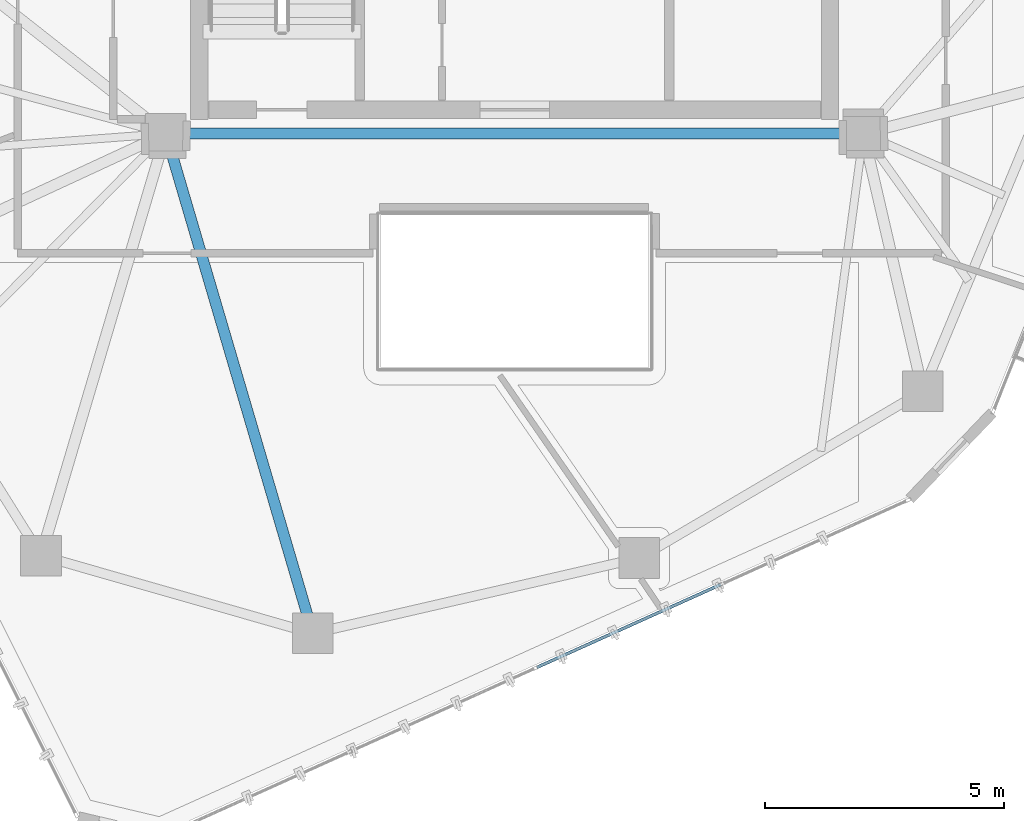
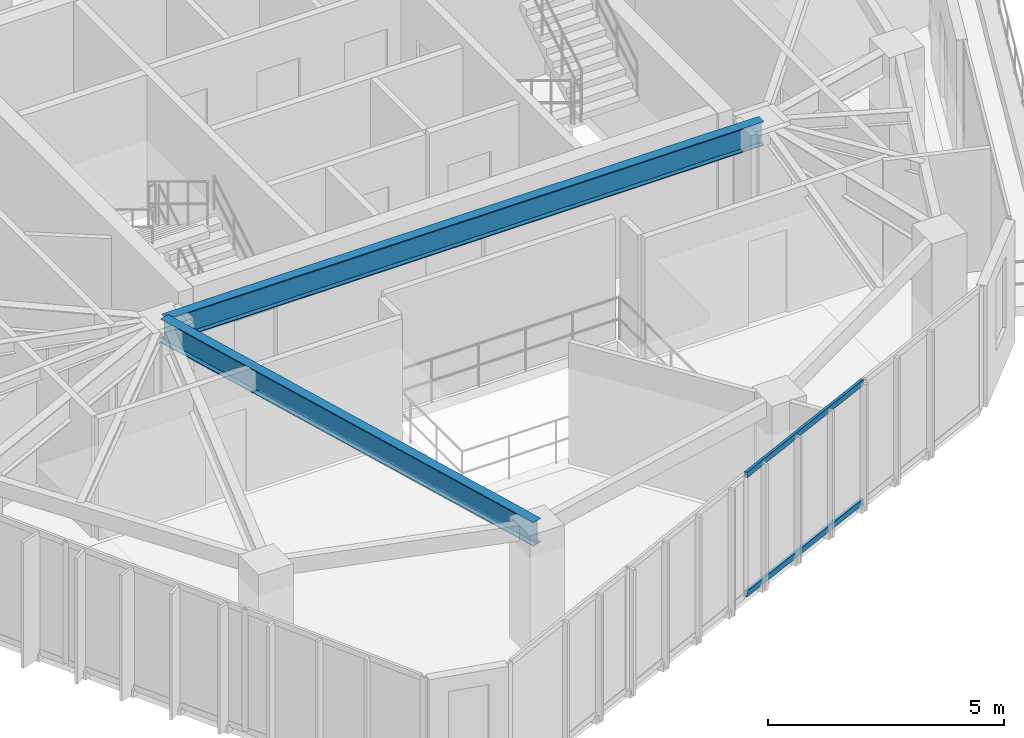
# One storey, part 5 of 21: 2 beams, 2 members, 1 element without a shape of its own.
"""IFC4 building model written with IfcOpenShell, lengths in metres."""

import ifcopenshell
import ifcopenshell.guid

model = None  # the IFC model being written
_history = None  # IfcOwnerHistory: only IFC2X3 demands one
_inside = {}  # id of a spatial element -> (the spatial element, [elements in it])
_under = {}  # id of a project, library or spatial element -> (it, [spatial elements below it])
_declared = {}  # id of a project -> (the project, [libraries it declares])
_typed = {}  # id of a type object -> (the type object, [elements of that type])
_made_of = {}  # id of a material, layer set ... -> (it, [elements and type objects made of it])


def new_model(schema):
    """Start an empty IFC model of exactly this schema.

    Asked for "IFC4X3", IfcOpenShell would pick the latest addendum, in which some entities
    have other attributes; the version numbers below select the first issue.
    IFC2X3 requires an IfcOwnerHistory on every rooted entity: one is made here for all.
    """
    global model, _history
    if schema == "IFC4X3":
        model = ifcopenshell.file(schema_version=(4, 3, 0, 0))
    else:
        model = ifcopenshell.file(schema=schema)
    _inside.clear()
    _under.clear()
    _declared.clear()
    _typed.clear()
    _made_of.clear()
    _history = None
    if model.schema == "IFC2X3":
        org = make("IfcOrganization", Name="unknown")
        user = make(
            "IfcPersonAndOrganization",
            ThePerson=make("IfcPerson", FamilyName="unknown"),
            TheOrganization=org,
        )
        app = make(
            "IfcApplication",
            ApplicationDeveloper=org,
            Version="unknown",
            ApplicationFullName="unknown",
            ApplicationIdentifier="unknown",
        )
        _history = make(
            "IfcOwnerHistory",
            OwningUser=user,
            OwningApplication=app,
            ChangeAction="ADDED",
            CreationDate=0,
        )
    return model


def make(cls, **values):
    """One entity of the class cls with the attributes given. An attribute that is None is left unset."""
    return model.create_entity(
        cls, **{name: value for name, value in values.items() if value is not None}
    )


def rooted(cls, **values):
    """An entity with a GlobalId (a new one), such as an element, a storey or a relation."""
    return make(cls, GlobalId=ifcopenshell.guid.new(), OwnerHistory=_history, **values)


def si_unit(unit_type, name, prefix=None):
    """IfcSIUnit, for example si_unit("LENGTHUNIT", "METRE", prefix="MILLI")."""
    return make("IfcSIUnit", UnitType=unit_type, Prefix=prefix, Name=name)


def assignment(units):
    """IfcUnitAssignment: the units of a project."""
    return None if units is None else make("IfcUnitAssignment", Units=units)


def point(xyz):
    """IfcCartesianPoint."""
    return None if xyz is None else make("IfcCartesianPoint", Coordinates=xyz)


def direction(xyz):
    """IfcDirection."""
    return None if xyz is None else make("IfcDirection", DirectionRatios=xyz)


def frame(location, z_axis=None, x_axis=None):
    """IfcAxis2Placement3D, a coordinate frame: its origin and axes. An axis left out is left unset."""
    return make(
        "IfcAxis2Placement3D",
        Location=point(location),
        Axis=direction(z_axis),
        RefDirection=direction(x_axis),
    )


def frame_2d(location, x_axis=None):
    """IfcAxis2Placement2D, a coordinate frame in the plane: its origin and x axis."""
    return make(
        "IfcAxis2Placement2D", Location=point(location), RefDirection=direction(x_axis)
    )


def origin():
    """The frame at (0, 0, 0) with its axes left unset."""
    return frame((0.0, 0.0, 0.0))


def origin_2d():
    """The frame at (0, 0) in the plane with its x axis left unset."""
    return frame_2d((0.0, 0.0))


def place(relative_to, where):
    """IfcLocalPlacement: puts the frame where relative to a parent placement (None: the world)."""
    return make(
        "IfcLocalPlacement", PlacementRelTo=relative_to, RelativePlacement=where
    )


def context(
    kind, dimensions, precision=None, world=None, true_north=None, identifier=None
):
    """IfcGeometricRepresentationContext, for example the 3D "Model" context."""
    return make(
        "IfcGeometricRepresentationContext",
        ContextIdentifier=identifier,
        ContextType=kind,
        CoordinateSpaceDimension=dimensions,
        Precision=precision,
        WorldCoordinateSystem=world,
        TrueNorth=true_north,
    )


def subcontext(parent, identifier, kind, view, scale=None):
    """IfcGeometricRepresentationSubContext, for example "Body" below "Model"."""
    return make(
        "IfcGeometricRepresentationSubContext",
        ContextIdentifier=identifier,
        ContextType=kind,
        ParentContext=parent,
        TargetScale=scale,
        TargetView=view,
    )


def project(units=None, contexts=None):
    """IfcProject with its units and contexts."""
    return rooted(
        "IfcProject",
        Name="project",
        RepresentationContexts=contexts,
        UnitsInContext=assignment(units),
    )


def spatial(cls, under=None, at=None, **own):
    """A site, building, storey or space (cls), placed at a placement, below another one or the project."""
    s = rooted(cls, ObjectPlacement=at, **own)
    if under is not None:
        _under.setdefault(under.id(), (under, []))[1].append(s)
    return s


def profile(cls, at=None, kind="AREA", **sizes):
    """A parametric profile (cls). Its sizes go by their IFC names, for example OverallWidth=200.0."""
    return make(cls, ProfileType=kind, Position=at, **sizes)


def hollow_rectangle(**sizes):
    """IfcRectangleHollowProfileDef."""
    return profile("IfcRectangleHollowProfileDef", **sizes)


def i_section(**sizes):
    """IfcIShapeProfileDef."""
    return profile("IfcIShapeProfileDef", **sizes)


def extrude(swept, where, along, depth):
    """IfcExtrudedAreaSolid: the profile swept, set in the frame where, extruded along a direction by depth."""
    return make(
        "IfcExtrudedAreaSolid",
        SweptArea=swept,
        Position=where,
        ExtrudedDirection=direction(along),
        Depth=depth,
    )


def shape(context_of_items, identifier, shape_type, items):
    """IfcShapeRepresentation: the items that make up one representation, for example the "Body"."""
    return make(
        "IfcShapeRepresentation",
        ContextOfItems=context_of_items,
        RepresentationIdentifier=identifier,
        RepresentationType=shape_type,
        Items=items,
    )


def source(mapping_origin, context_of_items, identifier, shape_type, items):
    """IfcRepresentationMap: a shape defined once, which mapped items show again and again."""
    return make(
        "IfcRepresentationMap",
        MappingOrigin=mapping_origin,
        MappedRepresentation=shape(context_of_items, identifier, shape_type, items),
    )


def transform(
    local_origin,
    x_axis=None,
    y_axis=None,
    z_axis=None,
    scale=None,
    scale2=None,
    scale3=None,
    uniform=True,
):
    """IfcCartesianTransformationOperator3D, or its non-uniform kind. x_axis, y_axis, z_axis: its Axis1, 2, 3."""
    if uniform:
        return make(
            "IfcCartesianTransformationOperator3D",
            Axis1=direction(x_axis),
            Axis2=direction(y_axis),
            LocalOrigin=point(local_origin),
            Scale=scale,
            Axis3=direction(z_axis),
        )
    return make(
        "IfcCartesianTransformationOperator3DnonUniform",
        Axis1=direction(x_axis),
        Axis2=direction(y_axis),
        LocalOrigin=point(local_origin),
        Scale=scale,
        Axis3=direction(z_axis),
        Scale2=scale2,
        Scale3=scale3,
    )


def mapped(mapping_source, mapping_target):
    """IfcMappedItem: shows the shape of a source again, moved by a transform."""
    return make(
        "IfcMappedItem", MappingSource=mapping_source, MappingTarget=mapping_target
    )


def material(Name=None, Category=None):
    """IfcMaterial."""
    return make("IfcMaterial", Name=Name, Category=Category)


def layer(
    of_material, thickness, ventilated=None, Name=None, Category=None, Priority=None
):
    """IfcMaterialLayer: one layer of a wall or slab, of a material (None: an air gap)."""
    return make(
        "IfcMaterialLayer",
        Material=of_material,
        LayerThickness=thickness,
        IsVentilated=ventilated,
        Name=Name,
        Category=Category,
        Priority=Priority,
    )


def layer_set(layers, Name=None):
    """IfcMaterialLayerSet."""
    return make("IfcMaterialLayerSet", MaterialLayers=layers, LayerSetName=Name)


def material_profile(
    of_material, cross_section, Name=None, Category=None, Priority=None
):
    """IfcMaterialProfile: a cross section and its material."""
    return make(
        "IfcMaterialProfile",
        Name=Name,
        Material=of_material,
        Profile=cross_section,
        Priority=Priority,
        Category=Category,
    )


def profile_set(profiles, Name=None, composite=None):
    """IfcMaterialProfileSet."""
    return make(
        "IfcMaterialProfileSet",
        Name=Name,
        MaterialProfiles=profiles,
        CompositeProfile=composite,
    )


def made_of(thing, what):
    """Note that an element or type object is made of a material, layer set ...; save() writes the relation."""
    if what is not None:
        _made_of.setdefault(what.id(), (what, []))[1].append(thing)
    return thing


def type_object(cls, material=None, **own):
    """A type object (cls), such as IfcWallType, which elements share."""
    return made_of(rooted(cls, **own), material)


def type_shapes(of_type, sources):
    """Give a type object the sources (RepresentationMaps) that its elements show as mapped items."""
    of_type.RepresentationMaps = sources


def element(
    cls,
    number,
    at=None,
    inside=None,
    cuts=None,
    type_object=None,
    material=None,
    context=None,
    identifier="Body",
    shape_type=None,
    held_by="IfcProductDefinitionShape",
    body=None,
    shapes=None,
    **own,
):
    """One element of the class cls, such as IfcWall. Its Tag is "e" and its number.

    at: its placement. inside: the storey or other place that contains it. cuts: it is an
    opening in that element (IfcRelVoidsElement). A single representation is given by context,
    identifier, shape_type and body (its items); several are given by shapes. held_by: the class
    of the entity that holds the representations. save() writes the other relations.
    """
    e = rooted(cls, Tag="e%d" % number, ObjectPlacement=at, **own)
    if body is not None:
        shapes = [shape(context, identifier, shape_type, body)]
    if shapes is not None:
        e.Representation = make(held_by, Representations=shapes)
    if inside is not None:
        _inside.setdefault(inside.id(), (inside, []))[1].append(e)
    if cuts is not None:
        rooted(
            "IfcRelVoidsElement", RelatingBuildingElement=cuts, RelatedOpeningElement=e
        )
    if type_object is not None:
        _typed.setdefault(type_object.id(), (type_object, []))[1].append(e)
    return made_of(e, material)


def aggregate(whole, parts):
    """IfcRelAggregates: a whole, such as a stair, and the parts it consists of."""
    return rooted("IfcRelAggregates", RelatingObject=whole, RelatedObjects=parts)


def save(model, path):
    """Write the relations noted so far, then the file.

    IfcRelAggregates (storeys below a building ...), IfcRelContainedInSpatialStructure (elements
    in a storey), IfcRelDefinesByType, IfcRelAssociatesMaterial and IfcRelDeclares: one each for
    every whole, place, type object, material and project.
    """
    for whole, parts in _under.values():
        aggregate(whole, parts)
    for where, things in _inside.values():
        rooted(
            "IfcRelContainedInSpatialStructure",
            RelatedElements=things,
            RelatingStructure=where,
        )
    for kind, things in _typed.values():
        rooted("IfcRelDefinesByType", RelatedObjects=things, RelatingType=kind)
    for what, things in _made_of.values():
        rooted("IfcRelAssociatesMaterial", RelatedObjects=things, RelatingMaterial=what)
    for by, libraries in _declared.values():
        rooted("IfcRelDeclares", RelatingContext=by, RelatedDefinitions=libraries)
    model.write(path)


model = new_model("IFC4")

# Units and contexts
model_context = context("Model", 3, precision=1e-05, world=origin(), true_north=direction((0.0, 1.0)))
body_context = subcontext(model_context, "Body", "Model", "MODEL_VIEW")
ifc_project = project(units=[si_unit("LENGTHUNIT", "METRE"), si_unit("AREAUNIT", "SQUARE_METRE"), si_unit("VOLUMEUNIT", "CUBIC_METRE"), si_unit("PLANEANGLEUNIT", "RADIAN"), si_unit("MASSUNIT", "GRAM", prefix="KILO")], contexts=[model_context])

# Site, building, storey
site_placement = place(None, origin())
site = spatial("IfcSite", under=ifc_project, at=site_placement, CompositionType="ELEMENT")
building_placement = place(site_placement, origin())
building = spatial("IfcBuilding", under=site, at=building_placement, Name="Talar Marvaseh", CompositionType="ELEMENT")
storey_placement = place(building_placement, frame((0.0, 0.0, 271.39990234375)))
storey = spatial("IfcBuildingStorey", under=building, at=storey_placement, Name="L72", CompositionType="ELEMENT", Elevation=271.39990234375)

# Beams
ifc_material_1 = material(Name="Steel S355", Category="steel")
ifc_material_profile_1 = material_profile(ifc_material_1, i_section(OverallWidth=0.22998046875, OverallDepth=0.616943359375, WebThickness=0.01318359375, FlangeThickness=0.022216796875, at=origin_2d()), Name="W610x140")
ifc_profile_set_1 = profile_set([ifc_material_profile_1], Name="Steel S355")
beam_type = type_object("IfcBeamType", Name="Zone 4 Radial Floor Girder W610x140", PredefinedType="BEAM", material=ifc_profile_set_1)
beam_1_placement = place(storey_placement, frame((18.699951171875, 25.5, 2.83154296875), z_axis=(1.0, 0.0, 0.0), x_axis=(0.0, 1.0, 0.0)))
element("IfcBeam", 1, at=beam_1_placement, inside=storey, type_object=beam_type, Name="L72 Zone 4 Radial Floor Girder W610x140", PredefinedType="BEAM", context=body_context, shape_type="SweptSolid", body=[
    extrude(i_section(OverallWidth=0.22998046875, OverallDepth=0.616943359375, WebThickness=0.01318359375, FlangeThickness=0.022216796875, at=origin_2d()), origin(), (0.0, 0.0, 1.0), 14.60009765625),
])
beam_2_placement = place(storey_placement, frame((21.77587890625, 15.0400390625, 2.83154296875), z_axis=(-0.28212146763, 0.959378693479, 0.0), x_axis=(-0.959378693479, -0.28212146763, 0.0)))
element("IfcBeam", 2, at=beam_2_placement, inside=storey, type_object=beam_type, Name="L72 Zone 4 Radial Floor Girder W610x140", PredefinedType="BEAM", context=body_context, shape_type="SweptSolid", body=[
    extrude(i_section(OverallWidth=0.22998046875, OverallDepth=0.616943359375, WebThickness=0.01318359375, FlangeThickness=0.022216796875, at=origin_2d()), origin(), (0.0, 0.0, 1.0), 10.90283203125),
])

# Curtain wall, members
ifc_material_2 = material(Name="Architectural Aluminium", Category="aluminium")
ifc_layer = layer(ifc_material_2, 0.179931640625)
ifc_layer_set = layer_set([ifc_layer], Name="Architectural Aluminium")
curtain_wall_type = type_object("IfcCurtainWallType", Name="Unitised High-Wind Sky Curtain Wall Z4", PredefinedType="NOTDEFINED", material=ifc_layer_set)
curtain_wall_placement = place(storey_placement, origin())
curtain_wall = element("IfcCurtainWall", 3, at=curtain_wall_placement, inside=storey, type_object=curtain_wall_type, Name="L72 Unitised High-Wind Sky Curtain Wall Z4", PredefinedType="NOTDEFINED")
ifc_material_profile_2 = material_profile(ifc_material_2, hollow_rectangle(XDim=0.06494140625, YDim=0.14990234375, WallThickness=0.00390625, at=origin_2d()), Name="RHS150x65x4")
ifc_profile_set_2 = profile_set([ifc_material_profile_2], Name="Architectural Aluminium")
member_type = type_object("IfcMemberType", Name="Unitised Curtain Wall Slim Transom RHS150x65x4", PredefinedType="USERDEFINED", material=ifc_profile_set_2)
shared_shape = source(origin(), body_context, "Body", "SweptSolid", [
    extrude(hollow_rectangle(XDim=0.06494140625, YDim=0.14990234375, WallThickness=0.00390625, at=origin_2d()), origin(), (0.0, 0.0, 1.0), 4.22119140625),
])
type_shapes(member_type, [shared_shape])
member_1_placement = place(storey_placement, frame((30.314453125, 16.06298828125, 0.03271484375), z_axis=(-0.911690853438, -0.410876852301, 0.0), x_axis=(0.410876852301, -0.911690853438, 0.0)))
member_1 = element("IfcMember", 4, at=member_1_placement, type_object=member_type, Name="CW-Z4 transom 2.1", ObjectType="TRANSOM", PredefinedType="USERDEFINED", context=body_context, shape_type="MappedRepresentation", body=[
    mapped(shared_shape, transform((0.0, 0.0, 0.0), x_axis=(1.0, 0.0, 0.0), y_axis=(0.0, 1.0, 0.0), z_axis=(0.0, 0.0, 1.0), scale=1.0)),
])
member_2_placement = place(storey_placement, frame((30.314453125, 16.06298828125, 3.107666015625), z_axis=(-0.911690853438, -0.410876852301, 0.0), x_axis=(0.410876852301, -0.911690853438, 0.0)))
member_2 = element("IfcMember", 5, at=member_2_placement, type_object=member_type, Name="CW-Z4 transom 2.2", ObjectType="TRANSOM", PredefinedType="USERDEFINED", context=body_context, shape_type="MappedRepresentation", body=[
    mapped(shared_shape, transform((0.0, 0.0, 0.0), x_axis=(1.0, 0.0, 0.0), y_axis=(0.0, 1.0, 0.0), z_axis=(0.0, 0.0, 1.0), scale=1.0)),
])
aggregate(curtain_wall, [member_1, member_2])

save(model, "model.ifc")
